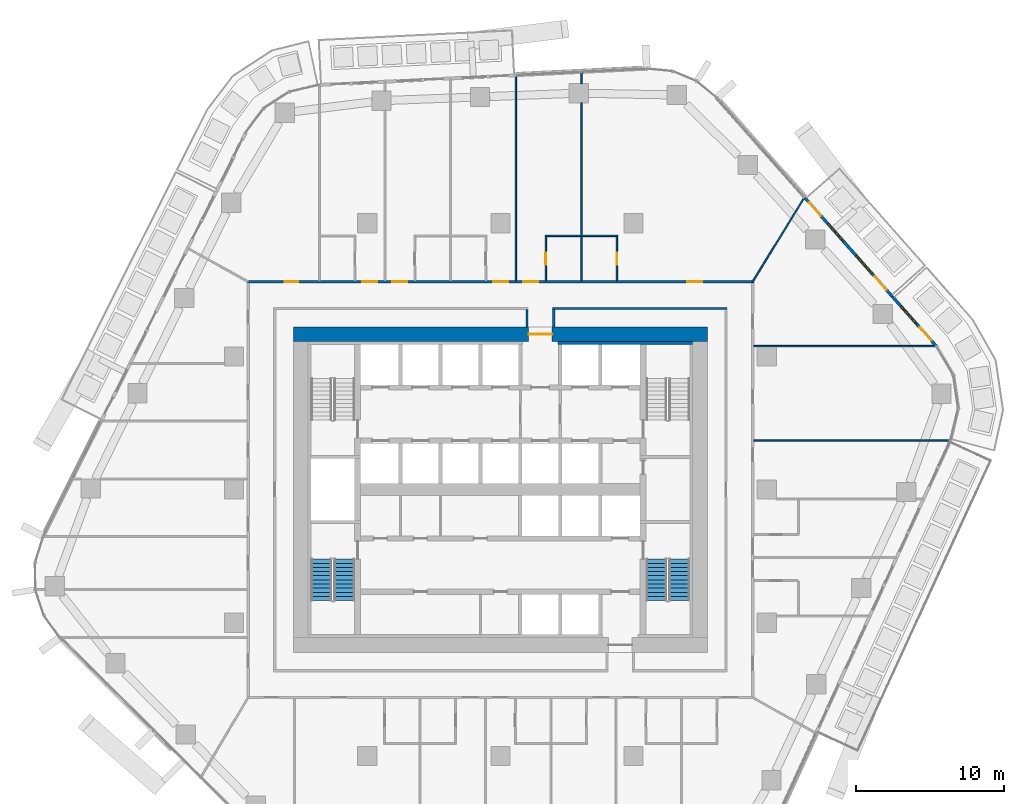
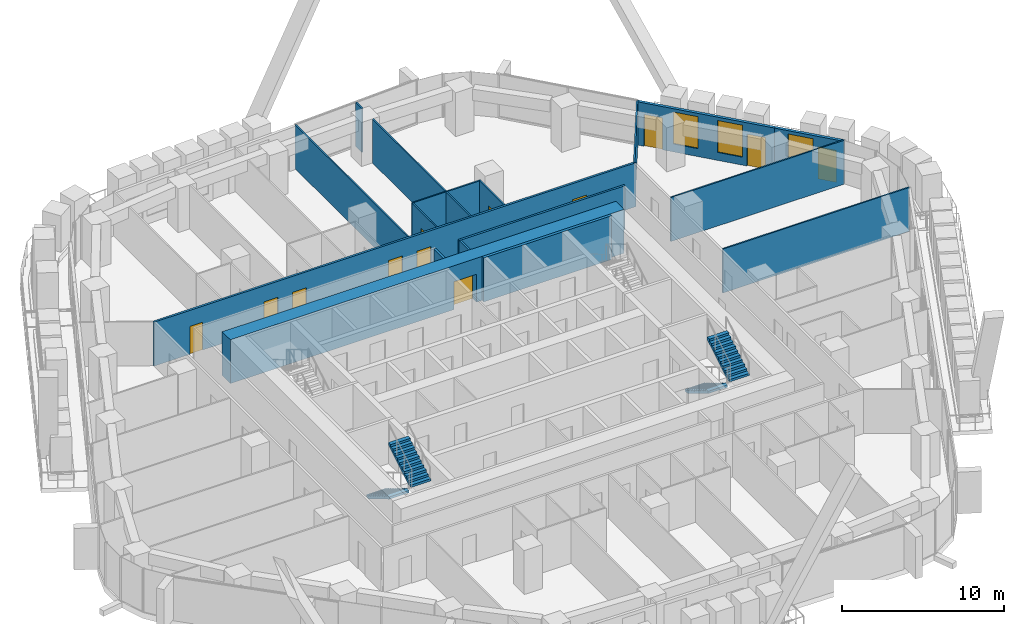
# One storey, part 17 of 25: 18 walls, 12 doors, 4 stair flights, 3 windows, 15 openings, 2 elements without a shape of their own.
"""IFC4 building model written with IfcOpenShell, lengths in metres."""

from ifc_helpers import new_model, si_unit, direction, frame, frame_2d, origin, place, context, subcontext, project, spatial, polyline, rectangle, outline, extrude, material, layer, layer_set, type_object, element, fill, aggregate, save


model = new_model("IFC4")

# Units and contexts
model_context = context("Model", 3, precision=1e-05, world=origin(), true_north=direction((0.0, 1.0)))
body_context = subcontext(model_context, "Body", "Model", "MODEL_VIEW")
ifc_project = project(units=[si_unit("LENGTHUNIT", "METRE"), si_unit("AREAUNIT", "SQUARE_METRE"), si_unit("VOLUMEUNIT", "CUBIC_METRE"), si_unit("PLANEANGLEUNIT", "RADIAN"), si_unit("MASSUNIT", "GRAM", prefix="KILO")], contexts=[model_context])

# Site, building, storey
site_placement = place(None, origin())
site = spatial("IfcSite", under=ifc_project, at=site_placement, CompositionType="ELEMENT")
building_placement = place(site_placement, origin())
building = spatial("IfcBuilding", under=site, at=building_placement, Name="Dongbaek Canopy Tower", CompositionType="ELEMENT")
storey_placement = place(building_placement, frame((0.0, 0.0, 102.60009765625)))
storey = spatial("IfcBuildingStorey", under=building, at=storey_placement, Name="L21", CompositionType="ELEMENT", Elevation=102.60009765625)

# Wall, opening, door
ifc_material_1 = material(Name="Concrete C60/75", Category="concrete")
ifc_layer_1 = layer(ifc_material_1, 1.0)
ifc_layer_set_1 = layer_set([ifc_layer_1], Name="Core outer wall 1000 Concrete C60/75")
wall_type_1 = type_object("IfcWallType", Name="Core outer wall 1000 Concrete C60/75", PredefinedType="SHEAR", material=ifc_layer_set_1)
wall_1_placement = place(storey_placement, frame((-14.0, 10.5, 0.0), z_axis=(0.0, 0.0, 1.0), x_axis=(1.0, 0.0, 0.0)))
wall_1 = element("IfcWall", 1, at=wall_1_placement, inside=storey, type_object=wall_type_1, Name="Core wall", PredefinedType="SHEAR", context=body_context, shape_type="SweptSolid", body=[
    extrude(rectangle(XDim=28.0, YDim=1.0, at=frame_2d((14.0, 0.0))), origin(), (0.0, 0.0, 1.0), 3.2998046875),
])
opening_1_placement = place(wall_1_placement, frame((15.89990234375, 0.0, 0.0)))
opening_1 = element("IfcOpeningElement", 2, at=opening_1_placement, cuts=wall_1, Name="Opening L21-D046", PredefinedType="OPENING", context=body_context, shape_type="SweptSolid", body=[
    extrude(rectangle(XDim=1.60009765625, YDim=2.10009765625, at=frame_2d((0.800048828125, 1.050048828125))), frame((0.0, 0.510009765625, 0.0), z_axis=(0.0, -1.0, 0.0), x_axis=(1.0, 0.0, 0.0)), (0.0, 0.0, 1.0), 1.02001953125),
])
ifc_material_2 = material(Name="Steel", Category="steel")
door_type_1 = type_object("IfcDoorType", Name="Core exit door 1600 x 2100", OperationType="DOUBLE_DOOR_SINGLE_SWING", PredefinedType="DOOR", material=ifc_material_2)
door_1_placement = place(opening_1_placement, origin())
door_1 = element("IfcDoor", 3, at=door_1_placement, inside=storey, type_object=door_type_1, Name="Core exit door", OperationType="DOUBLE_DOOR_SINGLE_SWING", OverallHeight=2.10009765625, OverallWidth=1.60009765625, PredefinedType="DOOR", context=body_context, shape_type="SweptSolid", body=[
    extrude(rectangle(XDim=1.60009765625, YDim=2.10009765625, at=frame_2d((0.800048828125, 1.050048828125))), frame((0.0, 0.02490234375, 0.0), z_axis=(0.0, -1.0, 0.0), x_axis=(1.0, 0.0, 0.0)), (0.0, 0.0, 1.0), 0.050048828125),
])
fill(opening_1, door_1)

# Walls
ifc_material_3 = material(Name="Concrete C60/75", Category="concrete")
ifc_layer_2 = layer(ifc_material_3, 0.199951171875)
ifc_layer_set_2 = layer_set([ifc_layer_2], Name="Core wall lining 200 Concrete C60/75")
wall_type_2 = type_object("IfcWallType", Name="Core wall lining 200 Concrete C60/75", PredefinedType="SHEAR", material=ifc_layer_set_2)
wall_2_placement = place(storey_placement, frame((3.89990234375, 9.89990234375, 0.0), z_axis=(0.0, 0.0, 1.0), x_axis=(1.0, 0.0, 0.0)))
element("IfcWall", 4, at=wall_2_placement, inside=storey, type_object=wall_type_2, Name="Core wall lining", PredefinedType="SHEAR", context=body_context, shape_type="SweptSolid", body=[
    extrude(rectangle(XDim=9.10009765625, YDim=0.199951171875, at=frame_2d((4.550048828125, 0.0))), origin(), (0.0, 0.0, 1.0), 3.2998046875),
])
ifc_material_4 = material(Name="Gypsum board partition, steel stud, 2 x 15 mm fire board", Category="steel")
ifc_layer_3 = layer(ifc_material_4, 0.14990234375)
ifc_layer_set_3 = layer_set([ifc_layer_3], Name="Fire-rated partition 150 gypsum board")
wall_type_3 = type_object("IfcWallType", Name="Fire-rated partition 150 gypsum board", PredefinedType="PARTITIONING", material=ifc_layer_set_3)
wall_3_placement = place(storey_placement, frame((3.52490234375, 12.25, 0.0), z_axis=(0.0, 0.0, 1.0), x_axis=(1.0, 0.0, 0.0)))
element("IfcWall", 5, at=wall_3_placement, inside=storey, type_object=wall_type_3, Name="Corridor partition", PredefinedType="PARTITIONING", context=body_context, shape_type="SweptSolid", body=[
    extrude(rectangle(XDim=11.800048828125, YDim=0.14990234375, at=frame_2d((5.89990234375, 0.0))), origin(), (0.0, 0.0, 1.0), 3.2998046875),
])

# Wall, openings, doors
wall_4_placement = place(storey_placement, frame((-17.125, 14.050048828125, 0.0), z_axis=(0.0, 0.0, 1.0), x_axis=(1.0, 0.0, 0.0)))
wall_4 = element("IfcWall", 6, at=wall_4_placement, inside=storey, type_object=wall_type_3, Name="Corridor partition", PredefinedType="PARTITIONING", context=body_context, shape_type="SweptSolid", body=[
    extrude(rectangle(XDim=34.25, YDim=0.14990234375, at=frame_2d((17.125, 0.0))), origin(), (0.0, 0.0, 1.0), 3.2998046875),
])
opening_2_placement = place(wall_4_placement, frame((29.757080078125, 0.0, 0.0)))
opening_2 = element("IfcOpeningElement", 7, at=opening_2_placement, cuts=wall_4, Name="Opening L21-D026", PredefinedType="OPENING", context=body_context, shape_type="SweptSolid", body=[
    extrude(rectangle(XDim=1.0, YDim=2.10009765625, at=frame_2d((0.5, 1.050048828125))), frame((0.0, 0.0849609375, 0.0), z_axis=(0.0, -1.0, 0.0), x_axis=(1.0, 0.0, 0.0)), (0.0, 0.0, 1.0), 0.169921875),
])
opening_3_placement = place(wall_4_placement, frame((18.68212890625, 0.0, 0.0)))
opening_3 = element("IfcOpeningElement", 8, at=opening_3_placement, cuts=wall_4, Name="Opening L21-D028", PredefinedType="OPENING", context=body_context, shape_type="SweptSolid", body=[
    extrude(rectangle(XDim=1.0, YDim=2.10009765625, at=frame_2d((0.5, 1.050048828125))), frame((0.0, 0.0849609375, 0.0), z_axis=(0.0, -1.0, 0.0), x_axis=(1.0, 0.0, 0.0)), (0.0, 0.0, 1.0), 0.169921875),
])
opening_4_placement = place(wall_4_placement, frame((16.65380859375, 0.0, 0.0)))
opening_4 = element("IfcOpeningElement", 9, at=opening_4_placement, cuts=wall_4, Name="Opening L21-D030", PredefinedType="OPENING", context=body_context, shape_type="SweptSolid", body=[
    extrude(rectangle(XDim=1.0, YDim=2.10009765625, at=frame_2d((0.5, 1.050048828125))), frame((0.0, 0.0849609375, 0.0), z_axis=(0.0, -1.0, 0.0), x_axis=(1.0, 0.0, 0.0)), (0.0, 0.0, 1.0), 0.169921875),
])
opening_5_placement = place(wall_4_placement, frame((9.8271484375, 0.0, 0.0)))
opening_5 = element("IfcOpeningElement", 10, at=opening_5_placement, cuts=wall_4, Name="Opening L21-D032", PredefinedType="OPENING", context=body_context, shape_type="SweptSolid", body=[
    extrude(rectangle(XDim=1.0, YDim=2.10009765625, at=frame_2d((0.5, 1.050048828125))), frame((0.0, 0.0849609375, 0.0), z_axis=(0.0, -1.0, 0.0), x_axis=(1.0, 0.0, 0.0)), (0.0, 0.0, 1.0), 0.169921875),
])
opening_6_placement = place(wall_4_placement, frame((7.80029296875, 0.0, 0.0)))
opening_6 = element("IfcOpeningElement", 11, at=opening_6_placement, cuts=wall_4, Name="Opening L21-D034", PredefinedType="OPENING", context=body_context, shape_type="SweptSolid", body=[
    extrude(rectangle(XDim=1.0, YDim=2.10009765625, at=frame_2d((0.5, 1.050048828125))), frame((0.0, 0.0849609375, 0.0), z_axis=(0.0, -1.0, 0.0), x_axis=(1.0, 0.0, 0.0)), (0.0, 0.0, 1.0), 0.169921875),
])
opening_7_placement = place(wall_4_placement, frame((2.5595703125, 0.0, 0.0)))
opening_7 = element("IfcOpeningElement", 12, at=opening_7_placement, cuts=wall_4, Name="Opening L21-D035", PredefinedType="OPENING", context=body_context, shape_type="SweptSolid", body=[
    extrude(rectangle(XDim=0.89990234375, YDim=2.10009765625, at=frame_2d((0.449951171875, 1.050048828125))), frame((0.0, 0.0849609375, 0.0), z_axis=(0.0, -1.0, 0.0), x_axis=(1.0, 0.0, 0.0)), (0.0, 0.0, 1.0), 0.169921875),
])
ifc_material_5 = material(Name="Timber veneered door leaf", Category="wood")
door_type_2 = type_object("IfcDoorType", Name="Guest room door 1000 x 2100", OperationType="SINGLE_SWING_LEFT", PredefinedType="DOOR", material=ifc_material_5)
door_2_placement = place(opening_2_placement, origin())
door_2 = element("IfcDoor", 13, at=door_2_placement, inside=storey, type_object=door_type_2, Name="Door L21-D026", OperationType="SINGLE_SWING_LEFT", OverallHeight=2.10009765625, OverallWidth=1.0, PredefinedType="DOOR", context=body_context, shape_type="SweptSolid", body=[
    extrude(rectangle(XDim=1.0, YDim=2.10009765625, at=frame_2d((0.5, 1.050048828125))), frame((0.0, 0.02490234375, 0.0), z_axis=(0.0, -1.0, 0.0), x_axis=(1.0, 0.0, 0.0)), (0.0, 0.0, 1.0), 0.050048828125),
])
fill(opening_2, door_2)
door_3_placement = place(opening_3_placement, origin())
door_3 = element("IfcDoor", 14, at=door_3_placement, inside=storey, type_object=door_type_2, Name="Door L21-D028", OperationType="SINGLE_SWING_RIGHT", OverallHeight=2.10009765625, OverallWidth=1.0, PredefinedType="DOOR", context=body_context, shape_type="SweptSolid", body=[
    extrude(rectangle(XDim=1.0, YDim=2.10009765625, at=frame_2d((0.5, 1.050048828125))), frame((0.0, 0.02490234375, 0.0), z_axis=(0.0, -1.0, 0.0), x_axis=(1.0, 0.0, 0.0)), (0.0, 0.0, 1.0), 0.050048828125),
])
fill(opening_3, door_3)
door_4_placement = place(opening_4_placement, origin())
door_4 = element("IfcDoor", 15, at=door_4_placement, inside=storey, type_object=door_type_2, Name="Door L21-D030", OperationType="SINGLE_SWING_LEFT", OverallHeight=2.10009765625, OverallWidth=1.0, PredefinedType="DOOR", context=body_context, shape_type="SweptSolid", body=[
    extrude(rectangle(XDim=1.0, YDim=2.10009765625, at=frame_2d((0.5, 1.050048828125))), frame((0.0, 0.02490234375, 0.0), z_axis=(0.0, -1.0, 0.0), x_axis=(1.0, 0.0, 0.0)), (0.0, 0.0, 1.0), 0.050048828125),
])
fill(opening_4, door_4)
door_5_placement = place(opening_5_placement, origin())
door_5 = element("IfcDoor", 16, at=door_5_placement, inside=storey, type_object=door_type_2, Name="Door L21-D032", OperationType="SINGLE_SWING_RIGHT", OverallHeight=2.10009765625, OverallWidth=1.0, PredefinedType="DOOR", context=body_context, shape_type="SweptSolid", body=[
    extrude(rectangle(XDim=1.0, YDim=2.10009765625, at=frame_2d((0.5, 1.050048828125))), frame((0.0, 0.02490234375, 0.0), z_axis=(0.0, -1.0, 0.0), x_axis=(1.0, 0.0, 0.0)), (0.0, 0.0, 1.0), 0.050048828125),
])
fill(opening_5, door_5)
door_6_placement = place(opening_6_placement, origin())
door_6 = element("IfcDoor", 17, at=door_6_placement, inside=storey, type_object=door_type_2, Name="Door L21-D034", OperationType="SINGLE_SWING_LEFT", OverallHeight=2.10009765625, OverallWidth=1.0, PredefinedType="DOOR", context=body_context, shape_type="SweptSolid", body=[
    extrude(rectangle(XDim=1.0, YDim=2.10009765625, at=frame_2d((0.5, 1.050048828125))), frame((0.0, 0.02490234375, 0.0), z_axis=(0.0, -1.0, 0.0), x_axis=(1.0, 0.0, 0.0)), (0.0, 0.0, 1.0), 0.050048828125),
])
fill(opening_6, door_6)
ifc_material_6 = material(Name="Timber veneered door leaf", Category="wood")
door_type_3 = type_object("IfcDoorType", Name="Room door 900 x 2100", OperationType="SINGLE_SWING_LEFT", PredefinedType="DOOR", material=ifc_material_6)
door_7_placement = place(opening_7_placement, origin())
door_7 = element("IfcDoor", 18, at=door_7_placement, inside=storey, type_object=door_type_3, Name="Door L21-D035", OperationType="SINGLE_SWING_RIGHT", OverallHeight=2.10009765625, OverallWidth=0.89990234375, PredefinedType="DOOR", context=body_context, shape_type="SweptSolid", body=[
    extrude(rectangle(XDim=0.89990234375, YDim=2.10009765625, at=frame_2d((0.449951171875, 1.050048828125))), frame((0.0, 0.02490234375, 0.0), z_axis=(0.0, -1.0, 0.0), x_axis=(1.0, 0.0, 0.0)), (0.0, 0.0, 1.0), 0.050048828125),
])
fill(opening_7, door_7)

# Walls
for number, where, z_axis, x_axis, name in (
    (19, (3.60009765625, 11.0, 0.0), (0.0, 0.0, 1.0), (0.0, 1.0, 0.0), "Corridor partition"),
    (20, (1.800048828125, 11.0, 0.0), (0.0, 0.0, 1.0), (0.0, 1.0, 0.0), "Corridor partition"),
):
    element("IfcWall", number, at=place(storey_placement, frame(where, z_axis=z_axis, x_axis=x_axis)), inside=storey, type_object=wall_type_3, Name=name, PredefinedType="PARTITIONING", context=body_context, shape_type="SweptSolid", body=[
        extrude(rectangle(XDim=1.175048828125, YDim=0.14990234375, at=frame_2d((0.58740234375, 0.0))), origin(), (0.0, 0.0, 1.0), 3.2998046875),
    ])
ifc_material_7 = material(Name="Gypsum board partition, steel stud, 2 x 12.5 mm board", Category="steel")
ifc_layer_4 = layer(ifc_material_7, 0.10009765625)
ifc_layer_set_4 = layer_set([ifc_layer_4], Name="Partition 100 gypsum board")
wall_type_4 = type_object("IfcWallType", Name="Partition 100 gypsum board", PredefinedType="PARTITIONING", material=ifc_layer_set_4)
wall_5_placement = place(storey_placement, frame((17.125, 3.31005859375, 0.0), z_axis=(0.0, 0.0, 1.0), x_axis=(1.0, 0.0, 0.0)))
element("IfcWall", 21, at=wall_5_placement, inside=storey, type_object=wall_type_4, Name="Partition", PredefinedType="PARTITIONING", context=body_context, shape_type="SweptSolid", body=[
    extrude(rectangle(XDim=13.259521484375, YDim=0.10009765625, at=frame_2d((6.6298828125, 0.0))), origin(), (0.0, 0.0, 1.0), 3.2998046875),
])
wall_6_placement = place(storey_placement, frame((17.125, 9.697998046875, 0.0), z_axis=(0.0, 0.0, 1.0), x_axis=(1.0, 0.0, 0.0)))
element("IfcWall", 22, at=wall_6_placement, inside=storey, type_object=wall_type_4, Name="Partition", PredefinedType="PARTITIONING", context=body_context, shape_type="SweptSolid", body=[
    extrude(rectangle(XDim=12.307861328125, YDim=0.10009765625, at=frame_2d((6.15380859375, 0.0))), origin(), (0.0, 0.0, 1.0), 3.2998046875),
])
wall_7_placement = place(storey_placement, frame((3.02197265625, 17.14990234375, 0.0), z_axis=(0.0, 0.0, 1.0), x_axis=(1.0, 0.0, 0.0)))
element("IfcWall", 23, at=wall_7_placement, inside=storey, type_object=wall_type_4, Name="Partition", PredefinedType="PARTITIONING", context=body_context, shape_type="SweptSolid", body=[
    extrude(rectangle(XDim=4.89990234375, YDim=0.10009765625, at=frame_2d((2.449951171875, 0.0))), origin(), (0.0, 0.0, 1.0), 3.2998046875),
])
wall_8_placement = place(storey_placement, frame((17.050048828125, 14.0498046875, 0.0), z_axis=(0.0, 0.0, 1.0), x_axis=(0.523105565691, 0.852267896346, 0.0)))
element("IfcWall", 24, at=wall_8_placement, inside=storey, type_object=wall_type_4, Name="Partition", PredefinedType="PARTITIONING", context=body_context, shape_type="SweptSolid", body=[
    extrude(rectangle(XDim=6.6767578125, YDim=0.10009765625, at=frame_2d((3.33837890625, 0.0))), origin(), (0.0, 0.0, 1.0), 3.2998046875),
])

# Wall, opening, door
wall_9_placement = place(storey_placement, frame((7.8720703125, 14.125, 0.0), z_axis=(0.0, 0.0, 1.0), x_axis=(0.0, 1.0, 0.0)))
wall_9 = element("IfcWall", 25, at=wall_9_placement, inside=storey, type_object=wall_type_4, Name="Partition", PredefinedType="PARTITIONING", context=body_context, shape_type="SweptSolid", body=[
    extrude(rectangle(XDim=3.02490234375, YDim=0.10009765625, at=frame_2d((1.512451171875, 0.0))), origin(), (0.0, 0.0, 1.0), 3.2998046875),
])
opening_8_placement = place(wall_9_placement, frame((1.074951171875, 0.0, 0.0)))
opening_8 = element("IfcOpeningElement", 26, at=opening_8_placement, cuts=wall_9, Name="Opening L21-D025", PredefinedType="OPENING", context=body_context, shape_type="SweptSolid", body=[
    extrude(rectangle(XDim=0.800048828125, YDim=2.10009765625, at=frame_2d((0.39990234375, 1.050048828125))), frame((0.0, 0.06005859375, 0.0), z_axis=(0.0, -1.0, 0.0), x_axis=(1.0, 0.0, 0.0)), (0.0, 0.0, 1.0), 0.1201171875),
])
ifc_material_8 = material(Name="Timber veneered door leaf", Category="wood")
door_type_4 = type_object("IfcDoorType", Name="En-suite door 800 x 2100", OperationType="SINGLE_SWING_LEFT", PredefinedType="DOOR", material=ifc_material_8)
door_8_placement = place(opening_8_placement, origin())
door_8 = element("IfcDoor", 27, at=door_8_placement, inside=storey, type_object=door_type_4, Name="Door L21-D025", OperationType="SINGLE_SWING_RIGHT", OverallHeight=2.10009765625, OverallWidth=0.800048828125, PredefinedType="DOOR", context=body_context, shape_type="SweptSolid", body=[
    extrude(rectangle(XDim=0.800048828125, YDim=2.10009765625, at=frame_2d((0.39990234375, 1.050048828125))), frame((0.0, 0.02490234375, 0.0), z_axis=(0.0, -1.0, 0.0), x_axis=(1.0, 0.0, 0.0)), (0.0, 0.0, 1.0), 0.050048828125),
])
fill(opening_8, door_8)

# Walls
wall_10_placement = place(storey_placement, frame((5.471923828125, 14.125, 0.0), z_axis=(0.0, 0.0, 1.0), x_axis=(0.0, 1.0, 0.0)))
element("IfcWall", 28, at=wall_10_placement, inside=storey, type_object=wall_type_4, Name="Partition", PredefinedType="PARTITIONING", context=body_context, shape_type="SweptSolid", body=[
    extrude(rectangle(XDim=2.97509765625, YDim=0.10009765625, at=frame_2d((1.487548828125, 0.0))), origin(), (0.0, 0.0, 1.0), 3.2998046875),
])
wall_11_placement = place(storey_placement, frame((5.471923828125, 17.199951171875, 0.0), z_axis=(0.0, 0.0, 1.0), x_axis=(0.0, 1.0, 0.0)))
element("IfcWall", 29, at=wall_11_placement, inside=storey, type_object=wall_type_4, Name="Partition", PredefinedType="PARTITIONING", context=body_context, shape_type="SweptSolid", body=[
    extrude(rectangle(XDim=8.947998046875, YDim=0.10009765625, at=frame_2d((4.47412109375, 0.0))), origin(), (0.0, 0.0, 1.0), 3.2998046875),
])
wall_12_placement = place(storey_placement, frame((5.471923828125, 27.447998046875, 0.0), z_axis=(0.0, 0.0, 1.0), x_axis=(0.0, 1.0, 0.0)))
element("IfcWall", 30, at=wall_12_placement, inside=storey, type_object=wall_type_4, Name="Partition", PredefinedType="PARTITIONING", context=body_context, shape_type="SweptSolid", body=[
    extrude(rectangle(XDim=0.76416015625, YDim=0.10009765625, at=frame_2d((0.382080078125, 0.0))), origin(), (0.0, 0.0, 1.0), 3.2998046875),
])

# Wall, opening, door
wall_13_placement = place(storey_placement, frame((3.072021484375, 17.10009765625, 0.0), z_axis=(0.0, 0.0, 1.0), x_axis=(0.0, -1.0, 0.0)))
wall_13 = element("IfcWall", 31, at=wall_13_placement, inside=storey, type_object=wall_type_4, Name="Partition", PredefinedType="PARTITIONING", context=body_context, shape_type="SweptSolid", body=[
    extrude(rectangle(XDim=2.97509765625, YDim=0.10009765625, at=frame_2d((1.487548828125, 0.0))), origin(), (0.0, 0.0, 1.0), 3.2998046875),
])
opening_9_placement = place(wall_13_placement, frame((1.10009765625, 0.0, 0.0)))
opening_9 = element("IfcOpeningElement", 32, at=opening_9_placement, cuts=wall_13, Name="Opening L21-D027", PredefinedType="OPENING", context=body_context, shape_type="SweptSolid", body=[
    extrude(rectangle(XDim=0.800048828125, YDim=2.10009765625, at=frame_2d((0.39990234375, 1.050048828125))), frame((0.0, 0.06005859375, 0.0), z_axis=(0.0, -1.0, 0.0), x_axis=(1.0, 0.0, 0.0)), (0.0, 0.0, 1.0), 0.1201171875),
])
door_9_placement = place(opening_9_placement, origin())
door_9 = element("IfcDoor", 33, at=door_9_placement, inside=storey, type_object=door_type_4, Name="Door L21-D027", OperationType="SINGLE_SWING_LEFT", OverallHeight=2.10009765625, OverallWidth=0.800048828125, PredefinedType="DOOR", context=body_context, shape_type="SweptSolid", body=[
    extrude(rectangle(XDim=0.800048828125, YDim=2.10009765625, at=frame_2d((0.39990234375, 1.050048828125))), frame((0.0, 0.02490234375, 0.0), z_axis=(0.0, -1.0, 0.0), x_axis=(1.0, 0.0, 0.0)), (0.0, 0.0, 1.0), 0.050048828125),
])
fill(opening_9, door_9)

# Wall
wall_14_placement = place(storey_placement, frame((1.0419921875, 14.125, 0.0), z_axis=(0.0, 0.0, 1.0), x_axis=(0.0, 1.0, 0.0)))
element("IfcWall", 34, at=wall_14_placement, inside=storey, type_object=wall_type_4, Name="Partition", PredefinedType="PARTITIONING", context=body_context, shape_type="SweptSolid", body=[
    extrude(rectangle(XDim=13.867431640625, YDim=0.10009765625, at=frame_2d((6.93359375, 0.0))), origin(), (0.0, 0.0, 1.0), 3.2998046875),
])

# Wall, openings, doors, windows
ifc_material_9 = material(Name="Aluminium window wall", Category="aluminium")
ifc_layer_5 = layer(ifc_material_9, 0.199951171875)
ifc_layer_set_5 = layer_set([ifc_layer_5], Name="Window wall 200")
wall_type_5 = type_object("IfcWallType", Name="Window wall 200", PredefinedType="SOLIDWALL", material=ifc_layer_set_5)
wall_15_placement = place(storey_placement, frame((26.4951171875, 13.04638671875, 0.0), z_axis=(0.0, 0.0, 1.0), x_axis=(-0.662851206757, 0.748751145376, 0.0)))
wall_15 = element("IfcWall", 35, at=wall_15_placement, inside=storey, type_object=wall_type_5, Name="Window wall L21 1", PredefinedType="SOLIDWALL", context=body_context, shape_type="SweptSolid", body=[
    extrude(rectangle(XDim=8.964111328125, YDim=0.199951171875, at=frame_2d((4.48193359375, 0.0))), origin(), (0.0, 0.0, 1.0), 3.25),
])
opening_10_placement = place(wall_15_placement, frame((2.10009765625, 0.0, 0.60009765625)))
opening_10 = element("IfcOpeningElement", 36, at=opening_10_placement, cuts=wall_15, Name="Opening W1", PredefinedType="OPENING", context=body_context, shape_type="SweptSolid", body=[
    extrude(rectangle(XDim=1.60009765625, YDim=2.39990234375, at=frame_2d((0.800048828125, 1.199951171875))), frame((0.0, 0.10986328125, 0.0), z_axis=(0.0, -1.0, 0.0), x_axis=(1.0, 0.0, 0.0)), (0.0, 0.0, 1.0), 0.219970703125),
])
opening_11_placement = place(wall_15_placement, frame((0.60009765625, 0.0, 0.0)))
opening_11 = element("IfcOpeningElement", 37, at=opening_11_placement, cuts=wall_15, Name="Opening L21-B01", PredefinedType="OPENING", context=body_context, shape_type="SweptSolid", body=[
    extrude(rectangle(XDim=1.199951171875, YDim=2.39990234375, at=frame_2d((0.60009765625, 1.199951171875))), frame((0.0, 0.10986328125, 0.0), z_axis=(0.0, -1.0, 0.0), x_axis=(1.0, 0.0, 0.0)), (0.0, 0.0, 1.0), 0.219970703125),
])
opening_12_placement = place(wall_15_placement, frame((4.98193359375, 0.0, 0.60009765625)))
opening_12 = element("IfcOpeningElement", 38, at=opening_12_placement, cuts=wall_15, Name="Opening W1", PredefinedType="OPENING", context=body_context, shape_type="SweptSolid", body=[
    extrude(rectangle(XDim=1.60009765625, YDim=2.39990234375, at=frame_2d((0.800048828125, 1.199951171875))), frame((0.0, 0.10986328125, 0.0), z_axis=(0.0, -1.0, 0.0), x_axis=(1.0, 0.0, 0.0)), (0.0, 0.0, 1.0), 0.219970703125),
])
opening_13_placement = place(wall_15_placement, frame((7.281982421875, 0.0, 0.0)))
opening_13 = element("IfcOpeningElement", 39, at=opening_13_placement, cuts=wall_15, Name="Opening L21-B02", PredefinedType="OPENING", context=body_context, shape_type="SweptSolid", body=[
    extrude(rectangle(XDim=1.199951171875, YDim=2.39990234375, at=frame_2d((0.60009765625, 1.199951171875))), frame((0.0, 0.10986328125, 0.0), z_axis=(0.0, -1.0, 0.0), x_axis=(1.0, 0.0, 0.0)), (0.0, 0.0, 1.0), 0.219970703125),
])
ifc_material_10 = material(Name="Clear glazing in aluminium frame", Category="aluminium")
door_type_5 = type_object("IfcDoorType", Name="Balcony door BD1 1200 x 2400", OperationType="SLIDING_TO_LEFT", PredefinedType="DOOR", material=ifc_material_10)
door_10_placement = place(opening_11_placement, origin())
door_10 = element("IfcDoor", 40, at=door_10_placement, inside=storey, type_object=door_type_5, Name="Balcony door L21-B01", OperationType="SLIDING_TO_LEFT", OverallHeight=2.39990234375, OverallWidth=1.199951171875, PredefinedType="DOOR", context=body_context, shape_type="SweptSolid", body=[
    extrude(rectangle(XDim=1.199951171875, YDim=2.39990234375, at=frame_2d((0.60009765625, 1.199951171875))), frame((0.0, 0.02490234375, 0.0), z_axis=(0.0, -1.0, 0.0), x_axis=(1.0, 0.0, 0.0)), (0.0, 0.0, 1.0), 0.050048828125),
])
fill(opening_11, door_10)
door_11_placement = place(opening_13_placement, origin())
door_11 = element("IfcDoor", 41, at=door_11_placement, inside=storey, type_object=door_type_5, Name="Balcony door L21-B02", OperationType="SLIDING_TO_LEFT", OverallHeight=2.39990234375, OverallWidth=1.199951171875, PredefinedType="DOOR", context=body_context, shape_type="SweptSolid", body=[
    extrude(rectangle(XDim=1.199951171875, YDim=2.39990234375, at=frame_2d((0.60009765625, 1.199951171875))), frame((0.0, 0.02490234375, 0.0), z_axis=(0.0, -1.0, 0.0), x_axis=(1.0, 0.0, 0.0)), (0.0, 0.0, 1.0), 0.050048828125),
])
fill(opening_13, door_11)
ifc_material_11 = material(Name="Clear glazing in aluminium frame", Category="aluminium")
window_type = type_object("IfcWindowType", Name="Window W1 1600 x 2400", PartitioningType="SINGLE_PANEL", PredefinedType="WINDOW", material=ifc_material_11)
window_1_placement = place(opening_10_placement, origin())
window_1 = element("IfcWindow", 42, at=window_1_placement, inside=storey, type_object=window_type, Name="Window L21 1.1", OverallHeight=2.39990234375, OverallWidth=1.60009765625, PartitioningType="SINGLE_PANEL", PredefinedType="WINDOW", context=body_context, shape_type="SweptSolid", body=[
    extrude(rectangle(XDim=1.60009765625, YDim=2.39990234375, at=frame_2d((0.800048828125, 1.199951171875))), frame((0.0, 0.030029296875, 0.0), z_axis=(0.0, -1.0, 0.0), x_axis=(1.0, 0.0, 0.0)), (0.0, 0.0, 1.0), 0.06005859375),
])
fill(opening_10, window_1)
window_2_placement = place(opening_12_placement, origin())
window_2 = element("IfcWindow", 43, at=window_2_placement, inside=storey, type_object=window_type, Name="Window L21 1.2", OverallHeight=2.39990234375, OverallWidth=1.60009765625, PartitioningType="SINGLE_PANEL", PredefinedType="WINDOW", context=body_context, shape_type="SweptSolid", body=[
    extrude(rectangle(XDim=1.60009765625, YDim=2.39990234375, at=frame_2d((0.800048828125, 1.199951171875))), frame((0.0, 0.030029296875, 0.0), z_axis=(0.0, -1.0, 0.0), x_axis=(1.0, 0.0, 0.0)), (0.0, 0.0, 1.0), 0.06005859375),
])
fill(opening_12, window_2)

# Wall, openings, door, window
wall_16_placement = place(storey_placement, frame((29.459716796875, 9.69775390625, 0.0), z_axis=(0.0, 0.0, 1.0), x_axis=(-0.662868291848, 0.748736020011, 0.0)))
wall_16 = element("IfcWall", 44, at=wall_16_placement, inside=storey, type_object=wall_type_5, Name="Window wall L21 6", PredefinedType="SOLIDWALL", context=body_context, shape_type="SweptSolid", body=[
    extrude(rectangle(XDim=4.472412109375, YDim=0.199951171875, at=frame_2d((2.236328125, 0.0))), origin(), (0.0, 0.0, 1.0), 3.25),
])
opening_14_placement = place(wall_16_placement, frame((2.0, 0.0, 0.60009765625)))
opening_14 = element("IfcOpeningElement", 45, at=opening_14_placement, cuts=wall_16, Name="Opening W1", PredefinedType="OPENING", context=body_context, shape_type="SweptSolid", body=[
    extrude(rectangle(XDim=1.60009765625, YDim=2.39990234375, at=frame_2d((0.800048828125, 1.199951171875))), frame((0.0, 0.10986328125, 0.0), z_axis=(0.0, -1.0, 0.0), x_axis=(1.0, 0.0, 0.0)), (0.0, 0.0, 1.0), 0.219970703125),
])
opening_15_placement = place(wall_16_placement, frame((0.5, 0.0, 0.0)))
opening_15 = element("IfcOpeningElement", 46, at=opening_15_placement, cuts=wall_16, Name="Opening L21-B03", PredefinedType="OPENING", context=body_context, shape_type="SweptSolid", body=[
    extrude(rectangle(XDim=1.199951171875, YDim=2.39990234375, at=frame_2d((0.60009765625, 1.199951171875))), frame((0.0, 0.10986328125, 0.0), z_axis=(0.0, -1.0, 0.0), x_axis=(1.0, 0.0, 0.0)), (0.0, 0.0, 1.0), 0.219970703125),
])
door_12_placement = place(opening_15_placement, origin())
door_12 = element("IfcDoor", 47, at=door_12_placement, inside=storey, type_object=door_type_5, Name="Balcony door L21-B03", OperationType="SLIDING_TO_LEFT", OverallHeight=2.39990234375, OverallWidth=1.199951171875, PredefinedType="DOOR", context=body_context, shape_type="SweptSolid", body=[
    extrude(rectangle(XDim=1.199951171875, YDim=2.39990234375, at=frame_2d((0.60009765625, 1.199951171875))), frame((0.0, 0.02490234375, 0.0), z_axis=(0.0, -1.0, 0.0), x_axis=(1.0, 0.0, 0.0)), (0.0, 0.0, 1.0), 0.050048828125),
])
fill(opening_15, door_12)
window_3_placement = place(opening_14_placement, origin())
window_3 = element("IfcWindow", 48, at=window_3_placement, inside=storey, type_object=window_type, Name="Window L21 6.1", OverallHeight=2.39990234375, OverallWidth=1.60009765625, PartitioningType="SINGLE_PANEL", PredefinedType="WINDOW", context=body_context, shape_type="SweptSolid", body=[
    extrude(rectangle(XDim=1.60009765625, YDim=2.39990234375, at=frame_2d((0.800048828125, 1.199951171875))), frame((0.0, 0.030029296875, 0.0), z_axis=(0.0, -1.0, 0.0), x_axis=(1.0, 0.0, 0.0)), (0.0, 0.0, 1.0), 0.06005859375),
])
fill(opening_14, window_3)

# Stair, stair flights
ifc_material_12 = material(Name="Concrete C40/50", Category="concrete")
stair_type = type_object("IfcStairType", Name="Core exit stair", PredefinedType="HALF_TURN_STAIR", material=ifc_material_12)
stair_1_placement = place(storey_placement, origin())
stair_1 = element("IfcStair", 49, at=stair_1_placement, inside=storey, type_object=stair_type, Name="L21 exit stair B", PredefinedType="HALF_TURN_STAIR")
ifc_material_13 = material(Name="Concrete C40/50", Category="concrete")
ifc_layer_6 = layer(ifc_material_13, 0.14990234375)
ifc_layer_set_6 = layer_set([ifc_layer_6], Name="Core stair flight 150 waist")
stair_flight_type = type_object("IfcStairFlightType", Name="Core stair flight 150 waist", PredefinedType="STRAIGHT", material=ifc_layer_set_6)
stair_flight_1_placement = place(storey_placement, frame((10.550048828125, -4.699951171875, 0.0), z_axis=(0.0, 0.0, 1.0), x_axis=(0.0, -1.0, 0.0)))
stair_flight_1 = element("IfcStairFlight", 50, at=stair_flight_1_placement, type_object=stair_flight_type, Name="ST-B flight 1", NumberOfRisers=11, NumberOfTreads=10, PredefinedType="STRAIGHT", RiserHeight=0.168181818, TreadLength=0.28, context=body_context, shape_type="SweptSolid", body=[
    extrude(outline(polyline([(0.0, 0.0), (0.0, 0.168212890625), (0.280029296875, 0.168212890625), (0.280029296875, 0.33642578125), (0.56005859375, 0.33642578125), (0.56005859375, 0.504638671875), (0.840087890625, 0.504638671875), (0.840087890625, 0.672607421875), (1.1201171875, 0.672607421875), (1.1201171875, 0.8408203125), (1.39990234375, 0.8408203125), (1.39990234375, 1.009033203125), (1.679931640625, 1.009033203125), (1.679931640625, 1.17724609375), (1.9599609375, 1.17724609375), (1.9599609375, 1.345458984375), (2.239990234375, 1.345458984375), (2.239990234375, 1.513671875), (2.52001953125, 1.513671875), (2.52001953125, 1.681884765625), (2.800048828125, 1.681884765625), (2.800048828125, 1.85009765625), (2.800048828125, 1.5068359375), (0.291015625, 0.0), (0.0, 0.0)])), frame((0.0, 0.699951171875, 0.0), z_axis=(0.0, -1.0, 0.0), x_axis=(1.0, 0.0, 0.0)), (0.0, 0.0, 1.0), 1.39990234375),
])
stair_flight_2_placement = place(storey_placement, frame((12.10009765625, -7.5, 1.849853515625), z_axis=(0.0, 0.0, 1.0), x_axis=(0.0, 1.0, 0.0)))
stair_flight_2 = element("IfcStairFlight", 51, at=stair_flight_2_placement, type_object=stair_flight_type, Name="ST-B flight 2", NumberOfRisers=11, NumberOfTreads=10, PredefinedType="STRAIGHT", RiserHeight=0.168181818, TreadLength=0.28, context=body_context, shape_type="SweptSolid", body=[
    extrude(outline(polyline([(0.0, 0.0), (0.0, 0.168212890625), (0.280029296875, 0.168212890625), (0.280029296875, 0.33642578125), (0.56005859375, 0.33642578125), (0.56005859375, 0.504638671875), (0.840087890625, 0.504638671875), (0.840087890625, 0.672607421875), (1.1201171875, 0.672607421875), (1.1201171875, 0.8408203125), (1.39990234375, 0.8408203125), (1.39990234375, 1.009033203125), (1.679931640625, 1.009033203125), (1.679931640625, 1.17724609375), (1.9599609375, 1.17724609375), (1.9599609375, 1.345458984375), (2.239990234375, 1.345458984375), (2.239990234375, 1.513671875), (2.52001953125, 1.513671875), (2.52001953125, 1.681884765625), (2.800048828125, 1.681884765625), (2.800048828125, 1.85009765625), (2.800048828125, 1.5068359375), (0.291015625, 0.0), (0.0, 0.0)])), frame((0.0, 0.699951171875, 0.0), z_axis=(0.0, -1.0, 0.0), x_axis=(1.0, 0.0, 0.0)), (0.0, 0.0, 1.0), 1.39990234375),
])
aggregate(stair_1, [stair_flight_1, stair_flight_2])

stair_2_placement = place(storey_placement, origin())
stair_2 = element("IfcStair", 52, at=stair_2_placement, inside=storey, type_object=stair_type, Name="L21 exit stair D", PredefinedType="HALF_TURN_STAIR")
stair_flight_3_placement = place(storey_placement, frame((-12.10009765625, -4.699951171875, 0.0), z_axis=(0.0, 0.0, 1.0), x_axis=(0.0, -1.0, 0.0)))
stair_flight_3 = element("IfcStairFlight", 53, at=stair_flight_3_placement, type_object=stair_flight_type, Name="ST-D flight 1", NumberOfRisers=11, NumberOfTreads=10, PredefinedType="STRAIGHT", RiserHeight=0.168181818, TreadLength=0.28, context=body_context, shape_type="SweptSolid", body=[
    extrude(outline(polyline([(0.0, 0.0), (0.0, 0.168212890625), (0.280029296875, 0.168212890625), (0.280029296875, 0.33642578125), (0.56005859375, 0.33642578125), (0.56005859375, 0.504638671875), (0.840087890625, 0.504638671875), (0.840087890625, 0.672607421875), (1.1201171875, 0.672607421875), (1.1201171875, 0.8408203125), (1.39990234375, 0.8408203125), (1.39990234375, 1.009033203125), (1.679931640625, 1.009033203125), (1.679931640625, 1.17724609375), (1.9599609375, 1.17724609375), (1.9599609375, 1.345458984375), (2.239990234375, 1.345458984375), (2.239990234375, 1.513671875), (2.52001953125, 1.513671875), (2.52001953125, 1.681884765625), (2.800048828125, 1.681884765625), (2.800048828125, 1.85009765625), (2.800048828125, 1.5068359375), (0.291015625, 0.0), (0.0, 0.0)])), frame((0.0, 0.699951171875, 0.0), z_axis=(0.0, -1.0, 0.0), x_axis=(1.0, 0.0, 0.0)), (0.0, 0.0, 1.0), 1.39990234375),
])
stair_flight_4_placement = place(storey_placement, frame((-10.550048828125, -7.5, 1.849853515625), z_axis=(0.0, 0.0, 1.0), x_axis=(0.0, 1.0, 0.0)))
stair_flight_4 = element("IfcStairFlight", 54, at=stair_flight_4_placement, type_object=stair_flight_type, Name="ST-D flight 2", NumberOfRisers=11, NumberOfTreads=10, PredefinedType="STRAIGHT", RiserHeight=0.168181818, TreadLength=0.28, context=body_context, shape_type="SweptSolid", body=[
    extrude(outline(polyline([(0.0, 0.0), (0.0, 0.168212890625), (0.280029296875, 0.168212890625), (0.280029296875, 0.33642578125), (0.56005859375, 0.33642578125), (0.56005859375, 0.504638671875), (0.840087890625, 0.504638671875), (0.840087890625, 0.672607421875), (1.1201171875, 0.672607421875), (1.1201171875, 0.8408203125), (1.39990234375, 0.8408203125), (1.39990234375, 1.009033203125), (1.679931640625, 1.009033203125), (1.679931640625, 1.17724609375), (1.9599609375, 1.17724609375), (1.9599609375, 1.345458984375), (2.239990234375, 1.345458984375), (2.239990234375, 1.513671875), (2.52001953125, 1.513671875), (2.52001953125, 1.681884765625), (2.800048828125, 1.681884765625), (2.800048828125, 1.85009765625), (2.800048828125, 1.5068359375), (0.291015625, 0.0), (0.0, 0.0)])), frame((0.0, 0.699951171875, 0.0), z_axis=(0.0, -1.0, 0.0), x_axis=(1.0, 0.0, 0.0)), (0.0, 0.0, 1.0), 1.39990234375),
])
aggregate(stair_2, [stair_flight_3, stair_flight_4])

save(model, "model.ifc")
